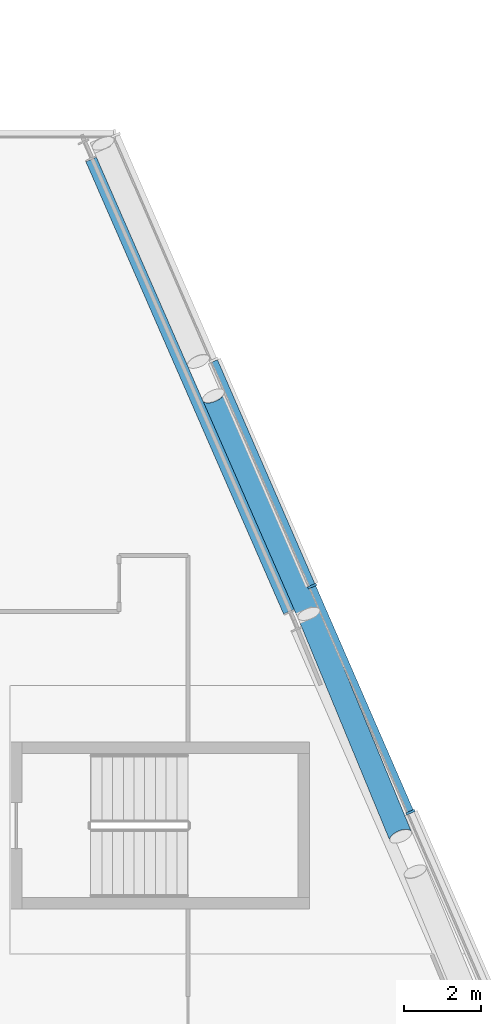
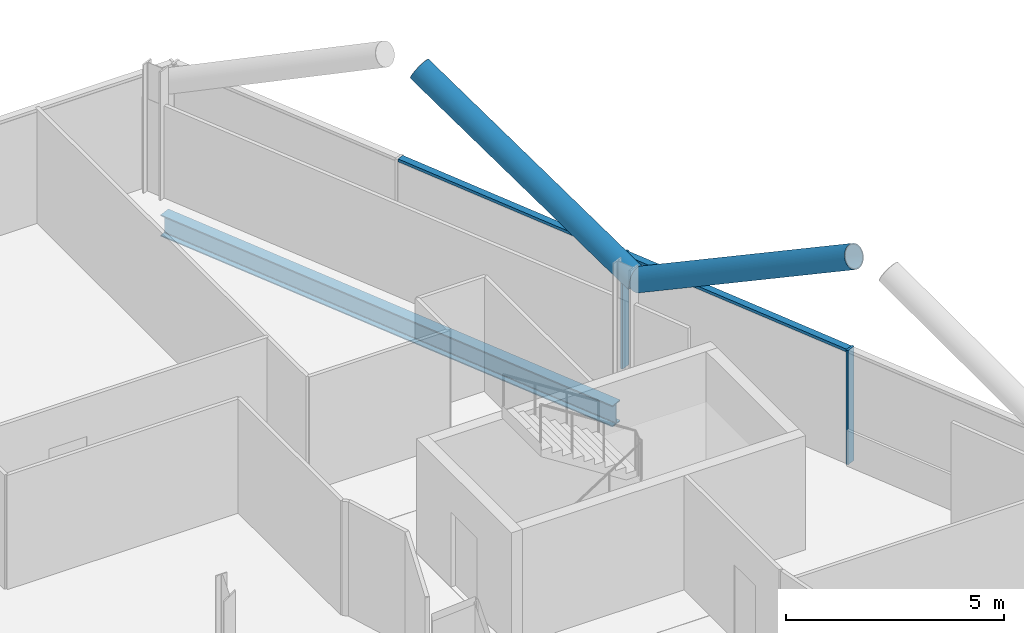
# One storey, part 9 of 28: 6 members, 1 beam, 1 element without a shape of its own.
"""IFC4 building model written with IfcOpenShell, lengths in metres."""

from ifc_helpers import new_model, si_unit, direction, frame, origin, origin_2d, place, context, subcontext, project, spatial, rectangle, hollow_circle, i_section, extrude, material, material_profile, profile_set, type_object, element, aggregate, save


model = new_model("IFC4")

# Units and contexts
model_context = context("Model", 3, precision=1e-05, world=origin(), true_north=direction((0.0, 1.0)))
body_context = subcontext(model_context, "Body", "Model", "MODEL_VIEW")
ifc_project = project(units=[si_unit("LENGTHUNIT", "METRE"), si_unit("AREAUNIT", "SQUARE_METRE"), si_unit("VOLUMEUNIT", "CUBIC_METRE"), si_unit("PLANEANGLEUNIT", "RADIAN"), si_unit("MASSUNIT", "GRAM", prefix="KILO")], contexts=[model_context])

# Site, building, storey
site_placement = place(None, origin())
site = spatial("IfcSite", under=ifc_project, at=site_placement, CompositionType="ELEMENT")
building_placement = place(site_placement, origin())
building = spatial("IfcBuilding", under=site, at=building_placement, Name="Wharfspan Tower", CompositionType="ELEMENT")
storey_placement = place(building_placement, frame((0.0, 0.0, 250.300049)))
storey = spatial("IfcBuildingStorey", under=building, at=storey_placement, Name="L63", CompositionType="ELEMENT", Elevation=250.300049)

# Beam
ifc_material_1 = material(Name="Steel S355J2", Category="steel")
ifc_material_profile_1 = material_profile(ifc_material_1, i_section(OverallWidth=0.300049, OverallDepth=0.600098, WebThickness=0.015381, FlangeThickness=0.030029, FilletRadius=0.0271, at=origin_2d()))
ifc_profile_set_1 = profile_set([ifc_material_profile_1], Name="Steel S355J2")
beam_type = type_object("IfcBeamType", Name="Edge beam HEB 600", PredefinedType="SPANDREL", material=ifc_profile_set_1)
beam_placement = place(storey_placement, frame((74.13208, 29.53125, -0.699951), z_axis=(-0.400619, 0.916245, 0.0), x_axis=(-0.916245, -0.400619, 0.0)))
element("IfcBeam", 1, at=beam_placement, inside=storey, type_object=beam_type, Name="Edge beam E L63 PE.2 to PE.3", PredefinedType="SPANDREL", context=body_context, shape_type="SweptSolid", body=[
    extrude(i_section(OverallWidth=0.300049, OverallDepth=0.600098, WebThickness=0.015381, FlangeThickness=0.030029, FilletRadius=0.0271, at=origin_2d()), origin(), (0.0, 0.0, 1.0), 12.883545),
])

# Curtain wall, members
ifc_material_2 = material(Name="Aluminium 6063-T6", Category="aluminium")
curtain_wall_type = type_object("IfcCurtainWallType", Name="CURTAIN WALL PROW AND END", PredefinedType="NOTDEFINED", material=ifc_material_2)
curtain_wall_placement = place(storey_placement, origin())
curtain_wall = element("IfcCurtainWall", 2, at=curtain_wall_placement, inside=storey, type_object=curtain_wall_type, Name="Curtain wall E", PredefinedType="NOTDEFINED")
ifc_material_profile_2 = material_profile(ifc_material_2, rectangle(XDim=0.23999, YDim=0.060059, at=origin_2d()))
ifc_profile_set_2 = profile_set([ifc_material_profile_2], Name="Aluminium 6063-T6")
member_type_1 = type_object("IfcMemberType", Name="MULLION PROW AND END 60x240", PredefinedType="MULLION", material=ifc_profile_set_2)
member_1_placement = place(storey_placement, frame((77.304443, 24.300049, 0.0), z_axis=(0.0, 0.0, 1.0), x_axis=(-0.917072, -0.398727, 0.0)))
member_1 = element("IfcMember", 3, at=member_1_placement, type_object=member_type_1, Name="Curtain wall E mullion 4", PredefinedType="MULLION", context=body_context, shape_type="SweptSolid", body=[
    extrude(rectangle(XDim=0.23999, YDim=0.060059, at=origin_2d()), origin(), (0.0, 0.0, 1.0), 3.199951),
])
member_2_placement = place(storey_placement, frame((74.739014, 30.199951, 0.0), z_axis=(0.0, 0.0, 1.0), x_axis=(-0.917072, -0.398727, 0.0)))
member_2 = element("IfcMember", 4, at=member_2_placement, type_object=member_type_1, Name="Curtain wall E mullion 5", PredefinedType="MULLION", context=body_context, shape_type="SweptSolid", body=[
    extrude(rectangle(XDim=0.23999, YDim=0.060059, at=origin_2d()), origin(), (0.0, 0.0, 1.0), 3.199951),
])

# Members
ifc_material_3 = material(Name="Steel S460NH", Category="steel")
ifc_material_profile_3 = material_profile(ifc_material_3, hollow_circle(Radius=0.304932, WallThickness=0.024902, at=origin_2d()))
ifc_profile_set_3 = profile_set([ifc_material_profile_3], Name="Steel S460NH")
member_type_2 = type_object("IfcMemberType", Name="Mega brace CHS 610x25", PredefinedType="BRACE", material=ifc_profile_set_3)
member_3_placement = place(storey_placement, frame((74.652588, 29.476318, 2.899902), z_axis=(0.337032, -0.816367, 0.468993), x_axis=(0.92433, 0.381605, 2e-06)))
element("IfcMember", 5, at=member_3_placement, inside=storey, type_object=member_type_2, Name="Mega brace E5 L64 part 3", PredefinedType="BRACE", context=body_context, shape_type="SweptSolid", body=[
    extrude(hollow_circle(Radius=0.304932, WallThickness=0.024902, at=origin_2d()), origin(), (0.0, 0.0, 1.0), 7.106201),
])
member_4_placement = place(storey_placement, frame((74.652588, 29.476318, 2.899902), z_axis=(-0.352883, 0.8071, 0.473353), x_axis=(-0.916253, -0.400609, 3e-06)))
element("IfcMember", 6, at=member_4_placement, inside=storey, type_object=member_type_2, Name="Mega brace E6 L64 part 1", PredefinedType="BRACE", context=body_context, shape_type="SweptSolid", body=[
    extrude(hollow_circle(Radius=0.304932, WallThickness=0.024902, at=origin_2d()), origin(), (0.0, 0.0, 1.0), 7.042236),
])

# Member
ifc_material_profile_4 = material_profile(ifc_material_2, rectangle(XDim=0.179932, YDim=0.080078, at=origin_2d()))
ifc_profile_set_4 = profile_set([ifc_material_profile_4], Name="Aluminium 6063-T6")
member_type_3 = type_object("IfcMemberType", Name="TRANSOM PROW AND END 80x180", PredefinedType="USERDEFINED", material=ifc_profile_set_4)
member_5_placement = place(storey_placement, frame((77.29248, 24.327393, 3.159912), z_axis=(-0.39874, 0.917064, 0.0), x_axis=(-0.917064, -0.39874, 0.0)))
member_5 = element("IfcMember", 7, at=member_5_placement, type_object=member_type_3, Name="Curtain wall E transom 4", ObjectType="TRANSOM", PredefinedType="USERDEFINED", context=body_context, shape_type="SweptSolid", body=[
    extrude(rectangle(XDim=0.179932, YDim=0.080078, at=origin_2d()), origin(), (0.0, 0.0, 1.0), 6.373779),
])

member_6_placement = place(storey_placement, frame((74.727051, 30.227539, 3.159912), z_axis=(-0.398722, 0.917072, 0.0), x_axis=(-0.917072, -0.398722, 0.0)))
member_6 = element("IfcMember", 8, at=member_6_placement, type_object=member_type_3, Name="Curtain wall E transom 5", ObjectType="TRANSOM", PredefinedType="USERDEFINED", context=body_context, shape_type="SweptSolid", body=[
    extrude(rectangle(XDim=0.179932, YDim=0.080078, at=origin_2d()), origin(), (0.0, 0.0, 1.0), 6.373535),
])

aggregate(curtain_wall, [member_1, member_2, member_5, member_6])

save(model, "model.ifc")
